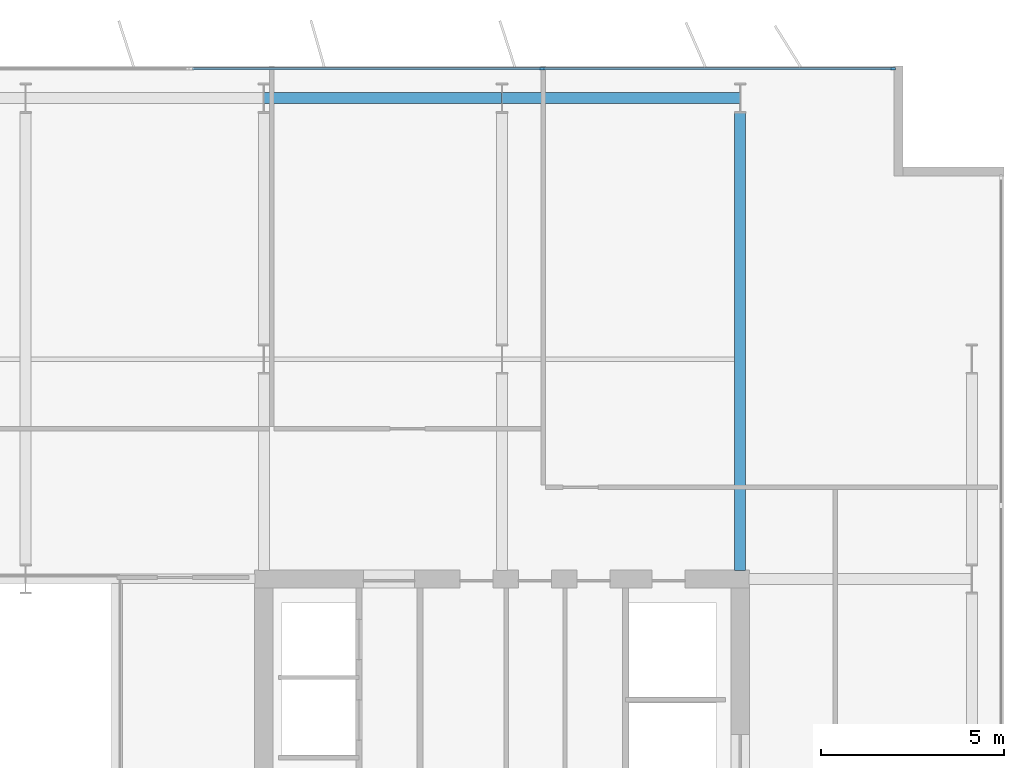
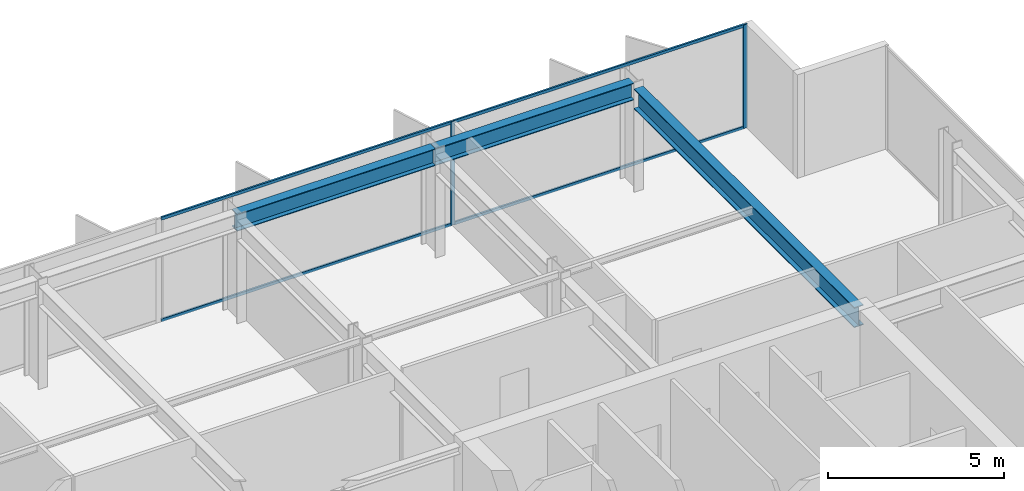
# One storey, part 13 of 23: 6 members, 3 beams, 1 element without a shape of its own.
"""IFC4 building model written with IfcOpenShell, lengths in metres."""

from ifc_helpers import new_model, si_unit, direction, frame, origin, origin_2d, place, context, subcontext, project, spatial, rectangle, i_section, extrude, material, layer, layer_set, material_profile, profile_set, type_object, element, aggregate, save


model = new_model("IFC4")

# Units and contexts
model_context = context("Model", 3, precision=1e-05, world=origin(), true_north=direction((0.0, 1.0)))
body_context = subcontext(model_context, "Body", "Model", "MODEL_VIEW")
ifc_project = project(units=[si_unit("LENGTHUNIT", "METRE"), si_unit("AREAUNIT", "SQUARE_METRE"), si_unit("VOLUMEUNIT", "CUBIC_METRE"), si_unit("PLANEANGLEUNIT", "RADIAN"), si_unit("MASSUNIT", "GRAM", prefix="KILO")], contexts=[model_context])

# Site, building, storey
site_placement = place(None, origin())
site = spatial("IfcSite", under=ifc_project, at=site_placement, CompositionType="ELEMENT")
building_placement = place(site_placement, origin())
building = spatial("IfcBuilding", under=site, at=building_placement, Name="Putna Gate Headquarters", CompositionType="ELEMENT")
storey_placement = place(building_placement, frame((0.0, 0.0, 217.60009765625)))
storey = spatial("IfcBuildingStorey", under=building, at=storey_placement, Name="L54", CompositionType="ELEMENT", Elevation=217.60009765625)

# Beams
ifc_material_1 = material(Name="Steel S355J2", Category="steel")
ifc_material_profile_1 = material_profile(ifc_material_1, i_section(OverallWidth=0.300048828125, OverallDepth=0.699951171875, WebThickness=0.01708984375, FlangeThickness=0.031982421875, at=origin_2d()), Name="Steel S355J2")
ifc_profile_set_1 = profile_set([ifc_material_profile_1], Name="Steel S355J2")
beam_type_1 = type_object("IfcBeamType", Name="BM-GIRD-B-HEB700", PredefinedType="USERDEFINED", material=ifc_profile_set_1)
beam_placement = place(storey_placement, frame((65.0, 33.235107421875, 3.22998046875), z_axis=(0.0, 1.0, 0.0), x_axis=(-1.0, 0.0, 0.0)))
element("IfcBeam", 1, at=beam_placement, inside=storey, type_object=beam_type_1, Name="L54 North Primary Girder X65", ObjectType="GIRDER", PredefinedType="USERDEFINED", context=body_context, shape_type="SweptSolid", body=[
    extrude(i_section(OverallWidth=0.300048828125, OverallDepth=0.699951171875, WebThickness=0.01708984375, FlangeThickness=0.031982421875, at=origin_2d()), origin(), (0.0, 0.0, 1.0), 12.489990234375),
])
ifc_material_profile_2 = material_profile(ifc_material_1, i_section(OverallWidth=0.300048828125, OverallDepth=0.590087890625, WebThickness=0.012939453125, FlangeThickness=0.02490234375, at=origin_2d()), Name="Steel S355J2")
ifc_profile_set_2 = profile_set([ifc_material_profile_2], Name="Steel S355J2")
beam_type_2 = type_object("IfcBeamType", Name="BM-SPAN-Z4-HEA600", PredefinedType="SPANDREL", material=ifc_profile_set_2)
for number, where, z_axis, x_axis, name in (
    (2, (52.006103515625, 46.1201171875, 3.284912109375), (1.0, 0.0, 0.0), (0.0, 1.0, 0.0), "L54 N Perimeter Spandrel 7"),
    (3, (58.506103515625, 46.1201171875, 3.284912109375), (1.0, 0.0, 0.0), (0.0, 1.0, 0.0), "L54 N Perimeter Spandrel 8"),
):
    element("IfcBeam", number, at=place(storey_placement, frame(where, z_axis=z_axis, x_axis=x_axis)), inside=storey, type_object=beam_type_2, Name=name, PredefinedType="SPANDREL", context=body_context, shape_type="SweptSolid", body=[
        extrude(i_section(OverallWidth=0.300048828125, OverallDepth=0.590087890625, WebThickness=0.012939453125, FlangeThickness=0.02490234375, at=origin_2d()), origin(), (0.0, 0.0, 1.0), 6.48779296875),
    ])

# Curtain wall, members
ifc_material_2 = material(Name="Anodised bronze aluminium curtain wall", Category="aluminium")
ifc_layer = layer(ifc_material_2, 0.139892578125)
ifc_layer_set = layer_set([ifc_layer], Name="Anodised bronze aluminium curtain wall")
curtain_wall_type = type_object("IfcCurtainWallType", Name="CW-SYS-Z4", PredefinedType="USERDEFINED", material=ifc_layer_set)
curtain_wall_placement = place(storey_placement, origin())
curtain_wall = element("IfcCurtainWall", 4, at=curtain_wall_placement, inside=storey, type_object=curtain_wall_type, Name="L54 North East Curtain Wall", ObjectType="STICK CURTAIN WALL", PredefinedType="USERDEFINED")
ifc_material_3 = material(Name="Anodised bronze aluminium EN AW-6060", Category="aluminium")
ifc_material_profile_3 = material_profile(ifc_material_3, rectangle(XDim=0.06005859375, YDim=0.139892578125, at=origin_2d()), Name="Anodised bronze aluminium EN AW-6060")
ifc_profile_set_3 = profile_set([ifc_material_profile_3], Name="Anodised bronze aluminium EN AW-6060")
member_type_1 = type_object("IfcMemberType", Name="MULL-CWM-4", PredefinedType="MULLION", material=ifc_profile_set_3)
member_1_placement = place(storey_placement, frame((59.60009765625, 46.919921875, 0.0), z_axis=(0.0, 0.0, 1.0), x_axis=(0.0, 1.0, 0.0)))
member_1 = element("IfcMember", 5, at=member_1_placement, type_object=member_type_1, Name="CWS-4 mullion 2", PredefinedType="MULLION", context=body_context, shape_type="SweptSolid", body=[
    extrude(rectangle(XDim=0.06005859375, YDim=0.139892578125, at=origin_2d()), origin(), (0.0, 0.0, 1.0), 3.579833984375),
])
member_2_placement = place(storey_placement, frame((69.169921875, 46.919921875, 0.0), z_axis=(0.0, 0.0, 1.0), x_axis=(0.0, 1.0, 0.0)))
member_2 = element("IfcMember", 6, at=member_2_placement, type_object=member_type_1, Name="CWS-4 mullion 3", PredefinedType="MULLION", context=body_context, shape_type="SweptSolid", body=[
    extrude(rectangle(XDim=0.06005859375, YDim=0.139892578125, at=origin_2d()), origin(), (0.0, 0.0, 1.0), 3.579833984375),
])
ifc_material_profile_4 = material_profile(ifc_material_3, rectangle(XDim=0.06005859375, YDim=0.10009765625, at=origin_2d()), Name="Anodised bronze aluminium EN AW-6060")
ifc_profile_set_4 = profile_set([ifc_material_profile_4], Name="Anodised bronze aluminium EN AW-6060")
member_type_2 = type_object("IfcMemberType", Name="TRAN-CWT-4", PredefinedType="USERDEFINED", material=ifc_profile_set_4)
member_3_placement = place(storey_placement, frame((50.06005859375, 46.919921875, 0.02978515625), z_axis=(1.0, 0.0, 0.0), x_axis=(0.0, 1.0, 0.0)))
member_3 = element("IfcMember", 7, at=member_3_placement, type_object=member_type_2, Name="CWS-4 transom 1.1", ObjectType="TRANSOM", PredefinedType="USERDEFINED", context=body_context, shape_type="SweptSolid", body=[
    extrude(rectangle(XDim=0.06005859375, YDim=0.10009765625, at=origin_2d()), origin(), (0.0, 0.0, 1.0), 9.510009765625),
])
member_4_placement = place(storey_placement, frame((50.06005859375, 46.919921875, 3.5498046875), z_axis=(1.0, 0.0, 0.0), x_axis=(0.0, 1.0, 0.0)))
member_4 = element("IfcMember", 8, at=member_4_placement, type_object=member_type_2, Name="CWS-4 transom 1.2", ObjectType="TRANSOM", PredefinedType="USERDEFINED", context=body_context, shape_type="SweptSolid", body=[
    extrude(rectangle(XDim=0.06005859375, YDim=0.10009765625, at=origin_2d()), origin(), (0.0, 0.0, 1.0), 9.510009765625),
])
member_5_placement = place(storey_placement, frame((59.6298828125, 46.919921875, 0.02978515625), z_axis=(1.0, 0.0, 0.0), x_axis=(0.0, 1.0, 0.0)))
member_5 = element("IfcMember", 9, at=member_5_placement, type_object=member_type_2, Name="CWS-4 transom 2.1", ObjectType="TRANSOM", PredefinedType="USERDEFINED", context=body_context, shape_type="SweptSolid", body=[
    extrude(rectangle(XDim=0.06005859375, YDim=0.10009765625, at=origin_2d()), origin(), (0.0, 0.0, 1.0), 9.510009765625),
])
member_6_placement = place(storey_placement, frame((59.6298828125, 46.919921875, 3.5498046875), z_axis=(1.0, 0.0, 0.0), x_axis=(0.0, 1.0, 0.0)))
member_6 = element("IfcMember", 10, at=member_6_placement, type_object=member_type_2, Name="CWS-4 transom 2.2", ObjectType="TRANSOM", PredefinedType="USERDEFINED", context=body_context, shape_type="SweptSolid", body=[
    extrude(rectangle(XDim=0.06005859375, YDim=0.10009765625, at=origin_2d()), origin(), (0.0, 0.0, 1.0), 9.510009765625),
])
aggregate(curtain_wall, [member_1, member_2, member_3, member_4, member_5, member_6])

save(model, "model.ifc")
